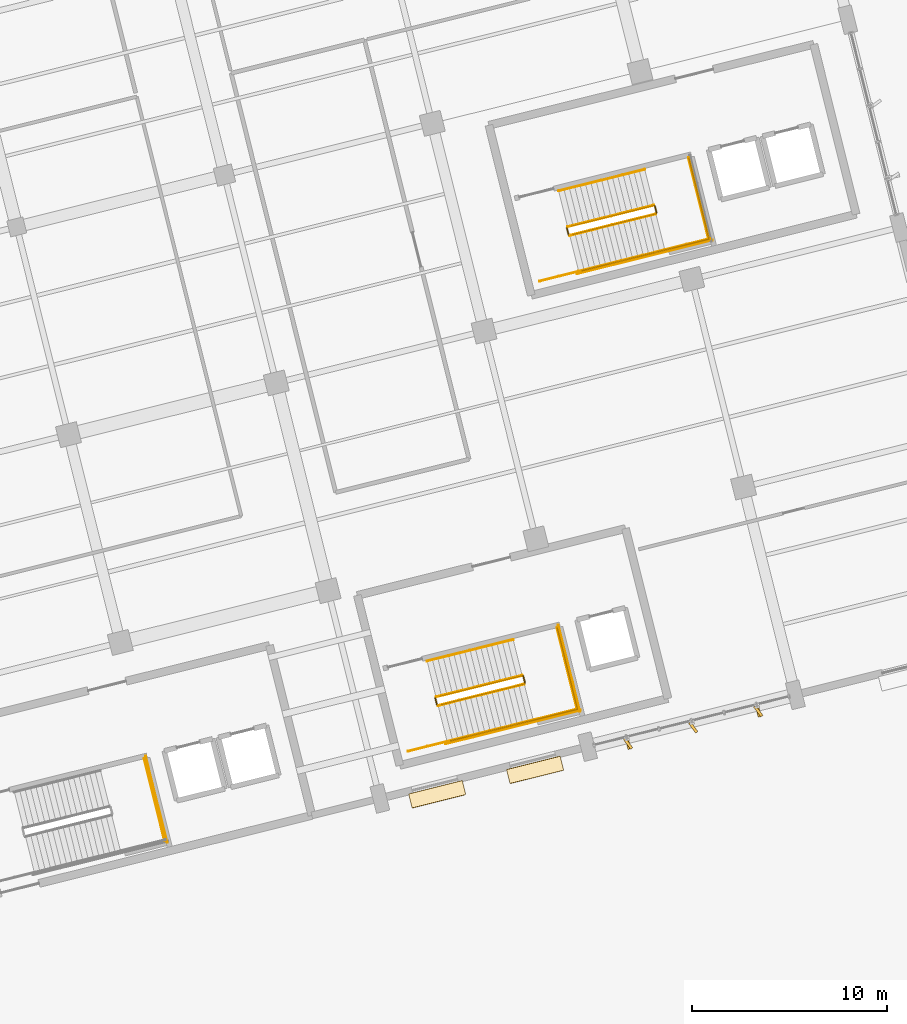
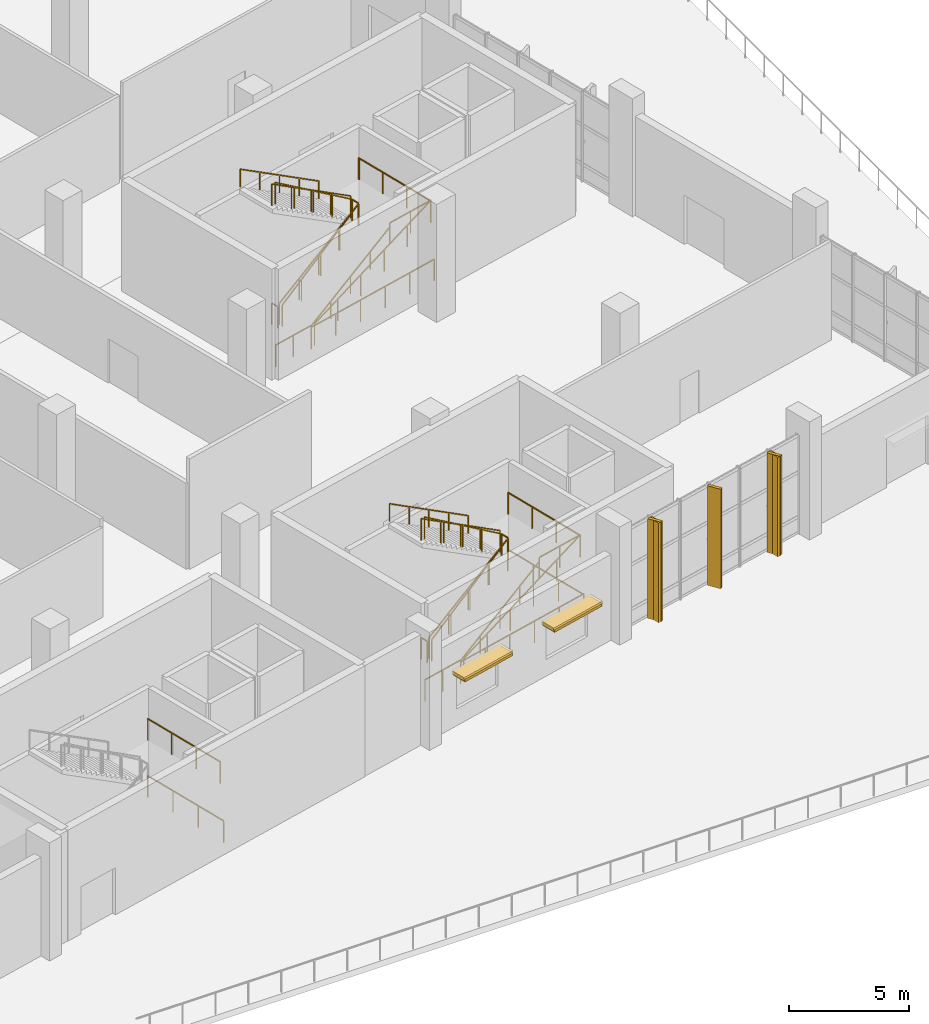
# One storey, part 157 of 163: 27 railings, 5 shading devices, 4 coverings.
"""IFC4 building model written with IfcOpenShell, lengths in metres."""

import ifcopenshell
import ifcopenshell.guid

model = None  # the IFC model being written
_history = None  # IfcOwnerHistory: only IFC2X3 demands one
_inside = {}  # id of a spatial element -> (the spatial element, [elements in it])
_under = {}  # id of a project, library or spatial element -> (it, [spatial elements below it])
_declared = {}  # id of a project -> (the project, [libraries it declares])
_typed = {}  # id of a type object -> (the type object, [elements of that type])
_made_of = {}  # id of a material, layer set ... -> (it, [elements and type objects made of it])


def new_model(schema):
    """Start an empty IFC model of exactly this schema.

    Asked for "IFC4X3", IfcOpenShell would pick the latest addendum, in which some entities
    have other attributes; the version numbers below select the first issue.
    IFC2X3 requires an IfcOwnerHistory on every rooted entity: one is made here for all.
    """
    global model, _history
    if schema == "IFC4X3":
        model = ifcopenshell.file(schema_version=(4, 3, 0, 0))
    else:
        model = ifcopenshell.file(schema=schema)
    _inside.clear()
    _under.clear()
    _declared.clear()
    _typed.clear()
    _made_of.clear()
    _history = None
    if model.schema == "IFC2X3":
        org = make("IfcOrganization", Name="unknown")
        user = make(
            "IfcPersonAndOrganization",
            ThePerson=make("IfcPerson", FamilyName="unknown"),
            TheOrganization=org,
        )
        app = make(
            "IfcApplication",
            ApplicationDeveloper=org,
            Version="unknown",
            ApplicationFullName="unknown",
            ApplicationIdentifier="unknown",
        )
        _history = make(
            "IfcOwnerHistory",
            OwningUser=user,
            OwningApplication=app,
            ChangeAction="ADDED",
            CreationDate=0,
        )
    return model


def make(cls, **values):
    """One entity of the class cls with the attributes given. An attribute that is None is left unset."""
    return model.create_entity(
        cls, **{name: value for name, value in values.items() if value is not None}
    )


def rooted(cls, **values):
    """An entity with a GlobalId (a new one), such as an element, a storey or a relation."""
    return make(cls, GlobalId=ifcopenshell.guid.new(), OwnerHistory=_history, **values)


def si_unit(unit_type, name, prefix=None):
    """IfcSIUnit, for example si_unit("LENGTHUNIT", "METRE", prefix="MILLI")."""
    return make("IfcSIUnit", UnitType=unit_type, Prefix=prefix, Name=name)


def assignment(units):
    """IfcUnitAssignment: the units of a project."""
    return None if units is None else make("IfcUnitAssignment", Units=units)


def point(xyz):
    """IfcCartesianPoint."""
    return None if xyz is None else make("IfcCartesianPoint", Coordinates=xyz)


def direction(xyz):
    """IfcDirection."""
    return None if xyz is None else make("IfcDirection", DirectionRatios=xyz)


def frame(location, z_axis=None, x_axis=None):
    """IfcAxis2Placement3D, a coordinate frame: its origin and axes. An axis left out is left unset."""
    return make(
        "IfcAxis2Placement3D",
        Location=point(location),
        Axis=direction(z_axis),
        RefDirection=direction(x_axis),
    )


def frame_2d(location, x_axis=None):
    """IfcAxis2Placement2D, a coordinate frame in the plane: its origin and x axis."""
    return make(
        "IfcAxis2Placement2D", Location=point(location), RefDirection=direction(x_axis)
    )


def origin():
    """The frame at (0, 0, 0) with its axes left unset."""
    return frame((0.0, 0.0, 0.0))


def origin_2d():
    """The frame at (0, 0) in the plane with its x axis left unset."""
    return frame_2d((0.0, 0.0))


def place(relative_to, where):
    """IfcLocalPlacement: puts the frame where relative to a parent placement (None: the world)."""
    return make(
        "IfcLocalPlacement", PlacementRelTo=relative_to, RelativePlacement=where
    )


def context(
    kind, dimensions, precision=None, world=None, true_north=None, identifier=None
):
    """IfcGeometricRepresentationContext, for example the 3D "Model" context."""
    return make(
        "IfcGeometricRepresentationContext",
        ContextIdentifier=identifier,
        ContextType=kind,
        CoordinateSpaceDimension=dimensions,
        Precision=precision,
        WorldCoordinateSystem=world,
        TrueNorth=true_north,
    )


def subcontext(parent, identifier, kind, view, scale=None):
    """IfcGeometricRepresentationSubContext, for example "Body" below "Model"."""
    return make(
        "IfcGeometricRepresentationSubContext",
        ContextIdentifier=identifier,
        ContextType=kind,
        ParentContext=parent,
        TargetScale=scale,
        TargetView=view,
    )


def project(units=None, contexts=None):
    """IfcProject with its units and contexts."""
    return rooted(
        "IfcProject",
        Name="project",
        RepresentationContexts=contexts,
        UnitsInContext=assignment(units),
    )


def spatial(cls, under=None, at=None, **own):
    """A site, building, storey or space (cls), placed at a placement, below another one or the project."""
    s = rooted(cls, ObjectPlacement=at, **own)
    if under is not None:
        _under.setdefault(under.id(), (under, []))[1].append(s)
    return s


def profile(cls, at=None, kind="AREA", **sizes):
    """A parametric profile (cls). Its sizes go by their IFC names, for example OverallWidth=200.0."""
    return make(cls, ProfileType=kind, Position=at, **sizes)


def rectangle(**sizes):
    """IfcRectangleProfileDef."""
    return profile("IfcRectangleProfileDef", **sizes)


def extrude(swept, where, along, depth):
    """IfcExtrudedAreaSolid: the profile swept, set in the frame where, extruded along a direction by depth."""
    return make(
        "IfcExtrudedAreaSolid",
        SweptArea=swept,
        Position=where,
        ExtrudedDirection=direction(along),
        Depth=depth,
    )


def shape(context_of_items, identifier, shape_type, items):
    """IfcShapeRepresentation: the items that make up one representation, for example the "Body"."""
    return make(
        "IfcShapeRepresentation",
        ContextOfItems=context_of_items,
        RepresentationIdentifier=identifier,
        RepresentationType=shape_type,
        Items=items,
    )


def material(Name=None, Category=None):
    """IfcMaterial."""
    return make("IfcMaterial", Name=Name, Category=Category)


def layer(
    of_material, thickness, ventilated=None, Name=None, Category=None, Priority=None
):
    """IfcMaterialLayer: one layer of a wall or slab, of a material (None: an air gap)."""
    return make(
        "IfcMaterialLayer",
        Material=of_material,
        LayerThickness=thickness,
        IsVentilated=ventilated,
        Name=Name,
        Category=Category,
        Priority=Priority,
    )


def layer_set(layers, Name=None):
    """IfcMaterialLayerSet."""
    return make("IfcMaterialLayerSet", MaterialLayers=layers, LayerSetName=Name)


def made_of(thing, what):
    """Note that an element or type object is made of a material, layer set ...; save() writes the relation."""
    if what is not None:
        _made_of.setdefault(what.id(), (what, []))[1].append(thing)
    return thing


def type_object(cls, material=None, **own):
    """A type object (cls), such as IfcWallType, which elements share."""
    return made_of(rooted(cls, **own), material)


def element(
    cls,
    number,
    at=None,
    inside=None,
    cuts=None,
    type_object=None,
    material=None,
    context=None,
    identifier="Body",
    shape_type=None,
    held_by="IfcProductDefinitionShape",
    body=None,
    shapes=None,
    **own,
):
    """One element of the class cls, such as IfcWall. Its Tag is "e" and its number.

    at: its placement. inside: the storey or other place that contains it. cuts: it is an
    opening in that element (IfcRelVoidsElement). A single representation is given by context,
    identifier, shape_type and body (its items); several are given by shapes. held_by: the class
    of the entity that holds the representations. save() writes the other relations.
    """
    e = rooted(cls, Tag="e%d" % number, ObjectPlacement=at, **own)
    if body is not None:
        shapes = [shape(context, identifier, shape_type, body)]
    if shapes is not None:
        e.Representation = make(held_by, Representations=shapes)
    if inside is not None:
        _inside.setdefault(inside.id(), (inside, []))[1].append(e)
    if cuts is not None:
        rooted(
            "IfcRelVoidsElement", RelatingBuildingElement=cuts, RelatedOpeningElement=e
        )
    if type_object is not None:
        _typed.setdefault(type_object.id(), (type_object, []))[1].append(e)
    return made_of(e, material)


def aggregate(whole, parts):
    """IfcRelAggregates: a whole, such as a stair, and the parts it consists of."""
    return rooted("IfcRelAggregates", RelatingObject=whole, RelatedObjects=parts)


def save(model, path):
    """Write the relations noted so far, then the file.

    IfcRelAggregates (storeys below a building ...), IfcRelContainedInSpatialStructure (elements
    in a storey), IfcRelDefinesByType, IfcRelAssociatesMaterial and IfcRelDeclares: one each for
    every whole, place, type object, material and project.
    """
    for whole, parts in _under.values():
        aggregate(whole, parts)
    for where, things in _inside.values():
        rooted(
            "IfcRelContainedInSpatialStructure",
            RelatedElements=things,
            RelatingStructure=where,
        )
    for kind, things in _typed.values():
        rooted("IfcRelDefinesByType", RelatedObjects=things, RelatingType=kind)
    for what, things in _made_of.values():
        rooted("IfcRelAssociatesMaterial", RelatedObjects=things, RelatingMaterial=what)
    for by, libraries in _declared.values():
        rooted("IfcRelDeclares", RelatingContext=by, RelatedDefinitions=libraries)
    model.write(path)


model = new_model("IFC4")

# Units and contexts
model_context = context("Model", 3, precision=1e-05, world=origin(), true_north=direction((0.0, 1.0)))
body_context = subcontext(model_context, "Body", "Model", "MODEL_VIEW")
ifc_project = project(units=[si_unit("LENGTHUNIT", "METRE"), si_unit("AREAUNIT", "SQUARE_METRE"), si_unit("VOLUMEUNIT", "CUBIC_METRE"), si_unit("PLANEANGLEUNIT", "RADIAN"), si_unit("MASSUNIT", "GRAM", prefix="KILO")], contexts=[model_context])

# Site, building, storey
site_placement = place(None, origin())
site = spatial("IfcSite", under=ifc_project, at=site_placement, CompositionType="ELEMENT")
building_placement = place(site_placement, origin())
building = spatial("IfcBuilding", under=site, at=building_placement, Name="Khorjan Park Terminus", CompositionType="ELEMENT")
storey_placement = place(building_placement, origin())
storey = spatial("IfcBuildingStorey", under=building, at=storey_placement, Name="L00", CompositionType="ELEMENT", Elevation=0.0)

# Coverings
ifc_material_1 = material(Name="Pigmented Precast GRC", Category="concrete")
ifc_layer_1 = layer(ifc_material_1, 0.16)
ifc_layer_set_1 = layer_set([ifc_layer_1], Name="Pigmented Precast GRC")
covering_type_1 = type_object("IfcCoveringType", Name="CV-FIN-GRC", PredefinedType="CLADDING", material=ifc_layer_set_1)
for number, where, z_axis, x_axis, name in (
    (1, (210.7713, 12.7969, -0.02), (0.0, 0.0, 1.0), (-0.2419218956, 0.970295726276, 0.0), "Projecting desert-sandstone GRC facade fin CL-FN1 (CW-V5-S-L00-B05-1)"),
    (2, (217.4597, 14.4644, -0.02), (0.0, 0.0, 1.0), (-0.2419218956, 0.970295726276, 0.0), "Projecting desert-sandstone GRC facade fin CL-FN1 (CW-V5-S-L00-B05-5)"),
):
    element("IfcCovering", number, at=place(storey_placement, frame(where, z_axis=z_axis, x_axis=x_axis)), inside=storey, type_object=covering_type_1, Name=name, PredefinedType="CLADDING", context=body_context, shape_type="SweptSolid", body=[
        extrude(rectangle(XDim=0.58, YDim=0.16, at=origin_2d()), origin(), (0.0, 0.0, 1.0), 5.065),
    ])
ifc_layer_2 = layer(ifc_material_1, 0.18)
ifc_layer_set_2 = layer_set([ifc_layer_2], Name="Pigmented Precast GRC")
covering_type_2 = type_object("IfcCoveringType", Name="CV-HOOD-GRC", PredefinedType="CLADDING", material=ifc_layer_set_2)
for number, where, z_axis, x_axis, name in (
    (3, (200.9632, 10.1968, 2.73), (0.0, 0.0, 1.0), (0.970293766672, 0.241929755007, 0.0), "Projecting desert-sandstone GRC window eyebrow CL-HD1 (EW-V5-S-L00-B04-1)"),
    (4, (205.9941, 11.4512, 2.73), (0.0, 0.0, 1.0), (0.970293766672, 0.241929755007, 0.0), "Projecting desert-sandstone GRC window eyebrow CL-HD1 (EW-V5-S-L00-B04-2)"),
):
    element("IfcCovering", number, at=place(storey_placement, frame(where, z_axis=z_axis, x_axis=x_axis)), inside=storey, type_object=covering_type_2, Name=name, PredefinedType="CLADDING", context=body_context, shape_type="SweptSolid", body=[
        extrude(rectangle(XDim=2.84, YDim=0.74, at=origin_2d()), origin(), (0.0, 0.0, 1.0), 0.16),
    ])

# Railings
ifc_material_2 = material(Name="Steel S355", Category="steel")
railing_type_1 = type_object("IfcRailingType", Name="GR-112", PredefinedType="GUARDRAIL", material=ifc_material_2)
railing_1_placement = place(storey_placement, frame((186.9708, 7.7954, 3.0)))
element("IfcRailing", 5, at=railing_1_placement, inside=storey, type_object=railing_type_1, Name="L00 ST-03 stair guard 4", PredefinedType="GUARDRAIL", context=body_context, shape_type="SweptSolid", body=[
    extrude(rectangle(XDim=0.048, YDim=0.048, at=origin_2d()), frame((0.0, 0.0, 1.096), z_axis=(-0.241904163851, 0.970300147125, 0.0), x_axis=(-0.970300147125, -0.241904163851, 0.0)), (0.0, 0.0, 1.0), 4.36),
    extrude(rectangle(XDim=0.042, YDim=0.042, at=origin_2d()), origin(), (0.0, 0.0, 1.0), 1.072),
    extrude(rectangle(XDim=0.042, YDim=0.042, at=origin_2d()), frame((-0.3516, 1.4102, 0.0)), (0.0, 0.0, 1.0), 1.072),
    extrude(rectangle(XDim=0.042, YDim=0.042, at=origin_2d()), frame((-0.7031, 2.8203, 0.0)), (0.0, 0.0, 1.0), 1.072),
    extrude(rectangle(XDim=0.042, YDim=0.042, at=origin_2d()), frame((-1.0547, 4.2305, 0.0)), (0.0, 0.0, 1.0), 1.072),
])
railing_2_placement = place(storey_placement, frame((187.0921, 7.7226, 0.0)))
element("IfcRailing", 6, at=railing_2_placement, inside=storey, type_object=railing_type_1, Name="L00 ST-03 stair guard 9", PredefinedType="GUARDRAIL", context=body_context, shape_type="SweptSolid", body=[
    extrude(rectangle(XDim=0.048, YDim=0.048, at=origin_2d()), frame((0.0, 0.0, 1.096), z_axis=(-0.24193185783, 0.970293242359, 0.0), x_axis=(-0.970293242359, -0.24193185783, 0.0)), (0.0, 0.0, 1.0), 4.56),
    extrude(rectangle(XDim=0.042, YDim=0.042, at=origin_2d()), origin(), (0.0, 0.0, 1.0), 1.072),
    extrude(rectangle(XDim=0.042, YDim=0.042, at=origin_2d()), frame((-0.3677, 1.4748, 0.0)), (0.0, 0.0, 1.0), 1.072),
    extrude(rectangle(XDim=0.042, YDim=0.042, at=origin_2d()), frame((-0.7355, 2.9497, 0.0)), (0.0, 0.0, 1.0), 1.072),
    extrude(rectangle(XDim=0.042, YDim=0.042, at=origin_2d()), frame((-1.1032, 4.4245, 0.0)), (0.0, 0.0, 1.0), 1.072),
])
railing_3_placement = place(storey_placement, frame((207.7735, 38.902, 0.1765)))
element("IfcRailing", 7, at=railing_3_placement, inside=storey, type_object=railing_type_1, Name="L00 ST-04 stair guard 1", PredefinedType="GUARDRAIL", context=body_context, shape_type="SweptSolid", body=[
    extrude(rectangle(XDim=0.048, YDim=0.048, at=origin_2d()), frame((0.0, 0.0, 1.096), z_axis=(0.824952551277, 0.205692768577, 0.526444463449), x_axis=(-0.24193185783, 0.970293242359, 0.0)), (0.0, 0.0, 1.0), 5.3633),
    extrude(rectangle(XDim=0.042, YDim=0.042, at=origin_2d()), origin(), (0.0, 0.0, 1.0), 1.072),
    extrude(rectangle(XDim=0.042, YDim=0.042, at=origin_2d()), frame((1.1061, 0.2758, 0.7059)), (0.0, 0.0, 1.0), 1.072),
    extrude(rectangle(XDim=0.042, YDim=0.042, at=origin_2d()), frame((2.2122, 0.5516, 1.4118)), (0.0, 0.0, 1.0), 1.072),
    extrude(rectangle(XDim=0.042, YDim=0.042, at=origin_2d()), frame((3.3184, 0.8274, 2.1176)), (0.0, 0.0, 1.0), 1.072),
    extrude(rectangle(XDim=0.042, YDim=0.042, at=origin_2d()), frame((4.4245, 1.1032, 2.8235)), (0.0, 0.0, 1.0), 1.072),
])
railing_4_placement = place(storey_placement, frame((212.2344, 40.0658, 3.0)))
element("IfcRailing", 8, at=railing_4_placement, inside=storey, type_object=railing_type_1, Name="L00 ST-04 stair guard 2", PredefinedType="GUARDRAIL", context=body_context, shape_type="SweptSolid", body=[
    extrude(rectangle(XDim=0.048, YDim=0.048, at=origin_2d()), frame((0.0, 0.0, 1.096), z_axis=(-0.241947338122, 0.970289382388, 0.0), x_axis=(-0.970289382388, -0.241947338122, 0.0)), (0.0, 0.0, 1.0), 0.36),
    extrude(rectangle(XDim=0.042, YDim=0.042, at=origin_2d()), origin(), (0.0, 0.0, 1.0), 1.072),
    extrude(rectangle(XDim=0.042, YDim=0.042, at=origin_2d()), frame((-0.0871, 0.3493, 0.0)), (0.0, 0.0, 1.0), 1.072),
])
railing_5_placement = place(storey_placement, frame((212.6577, 38.1616, 3.0)))
element("IfcRailing", 9, at=railing_5_placement, inside=storey, type_object=railing_type_1, Name="L00 ST-04 stair guard 3", PredefinedType="GUARDRAIL", context=body_context, shape_type="SweptSolid", body=[
    extrude(rectangle(XDim=0.048, YDim=0.048, at=origin_2d()), frame((0.0, 0.0, 1.096), z_axis=(0.970293078733, 0.241932514067, 0.0), x_axis=(-0.241932514067, 0.970293078733, 0.0)), (0.0, 0.0, 1.0), 2.38),
    extrude(rectangle(XDim=0.042, YDim=0.042, at=origin_2d()), origin(), (0.0, 0.0, 1.0), 1.072),
    extrude(rectangle(XDim=0.042, YDim=0.042, at=origin_2d()), frame((1.1547, 0.2879, 0.0)), (0.0, 0.0, 1.0), 1.072),
    extrude(rectangle(XDim=0.042, YDim=0.042, at=origin_2d()), frame((2.3093, 0.5758, 0.0)), (0.0, 0.0, 1.0), 1.072),
])
railing_6_placement = place(storey_placement, frame((214.9305, 38.6768, 3.0)))
element("IfcRailing", 10, at=railing_6_placement, inside=storey, type_object=railing_type_1, Name="L00 ST-04 stair guard 4", PredefinedType="GUARDRAIL", context=body_context, shape_type="SweptSolid", body=[
    extrude(rectangle(XDim=0.048, YDim=0.048, at=origin_2d()), frame((0.0, 0.0, 1.096), z_axis=(-0.241904163851, 0.970300147125, 0.0), x_axis=(-0.970300147125, -0.241904163851, 0.0)), (0.0, 0.0, 1.0), 4.36),
    extrude(rectangle(XDim=0.042, YDim=0.042, at=origin_2d()), origin(), (0.0, 0.0, 1.0), 1.072),
    extrude(rectangle(XDim=0.042, YDim=0.042, at=origin_2d()), frame((-0.3516, 1.4102, 0.0)), (0.0, 0.0, 1.0), 1.072),
    extrude(rectangle(XDim=0.042, YDim=0.042, at=origin_2d()), frame((-0.7031, 2.8203, 0.0)), (0.0, 0.0, 1.0), 1.072),
    extrude(rectangle(XDim=0.042, YDim=0.042, at=origin_2d()), frame((-1.0547, 4.2305, 0.0)), (0.0, 0.0, 1.0), 1.072),
])
railing_7_placement = place(storey_placement, frame((212.0867, 40.4515, 3.1765)))
element("IfcRailing", 11, at=railing_7_placement, inside=storey, type_object=railing_type_1, Name="L00 ST-04 stair guard 5", PredefinedType="GUARDRAIL", context=body_context, shape_type="SweptSolid", body=[
    extrude(rectangle(XDim=0.048, YDim=0.048, at=origin_2d()), frame((0.0, 0.0, 1.096), z_axis=(-0.824955714979, -0.205674912237, 0.52644648237), x_axis=(0.241911211243, -0.970298390123, 0.0)), (0.0, 0.0, 1.0), 5.3633),
    extrude(rectangle(XDim=0.042, YDim=0.042, at=origin_2d()), origin(), (0.0, 0.0, 1.0), 1.072),
    extrude(rectangle(XDim=0.042, YDim=0.042, at=origin_2d()), frame((-1.1061, -0.2758, 0.7059)), (0.0, 0.0, 1.0), 1.072),
    extrude(rectangle(XDim=0.042, YDim=0.042, at=origin_2d()), frame((-2.2122, -0.5516, 1.4118)), (0.0, 0.0, 1.0), 1.072),
    extrude(rectangle(XDim=0.042, YDim=0.042, at=origin_2d()), frame((-3.3184, -0.8273, 2.1176)), (0.0, 0.0, 1.0), 1.072),
    extrude(rectangle(XDim=0.042, YDim=0.042, at=origin_2d()), frame((-4.4245, -1.1031, 2.8235)), (0.0, 0.0, 1.0), 1.072),
])
railing_8_placement = place(storey_placement, frame((207.7129, 38.9385, 0.0)))
element("IfcRailing", 12, at=railing_8_placement, inside=storey, type_object=railing_type_1, Name="L00 ST-04 stair guard 6", PredefinedType="GUARDRAIL", context=body_context, shape_type="SweptSolid", body=[
    extrude(rectangle(XDim=0.048, YDim=0.048, at=origin_2d()), frame((0.0, 0.0, 1.096), z_axis=(-0.241947338122, 0.970289382388, 0.0), x_axis=(-0.970289382388, -0.241947338122, 0.0)), (0.0, 0.0, 1.0), 0.36),
    extrude(rectangle(XDim=0.042, YDim=0.042, at=origin_2d()), origin(), (0.0, 0.0, 1.0), 1.072),
    extrude(rectangle(XDim=0.042, YDim=0.042, at=origin_2d()), frame((-0.0871, 0.3493, 0.0)), (0.0, 0.0, 1.0), 1.072),
])
railing_9_placement = place(storey_placement, frame((206.2343, 36.5601, 0.0)))
element("IfcRailing", 13, at=railing_9_placement, inside=storey, type_object=railing_type_1, Name="L00 ST-04 stair guard 7", PredefinedType="GUARDRAIL", context=body_context, shape_type="SweptSolid", body=[
    extrude(rectangle(XDim=0.048, YDim=0.048, at=origin_2d()), frame((0.0, 0.0, 1.096), z_axis=(0.97029080484, 0.241941633546, 0.0), x_axis=(-0.241941633546, 0.97029080484, 0.0)), (0.0, 0.0, 1.0), 2.06),
    extrude(rectangle(XDim=0.042, YDim=0.042, at=origin_2d()), origin(), (0.0, 0.0, 1.0), 1.072),
    extrude(rectangle(XDim=0.042, YDim=0.042, at=origin_2d()), frame((0.9994, 0.2492, 0.0)), (0.0, 0.0, 1.0), 1.072),
    extrude(rectangle(XDim=0.042, YDim=0.042, at=origin_2d()), frame((1.9988, 0.4984, 0.0)), (0.0, 0.0, 1.0), 1.072),
])
railing_10_placement = place(storey_placement, frame((208.1603, 36.9373, 0.0)))
element("IfcRailing", 14, at=railing_10_placement, inside=storey, type_object=railing_type_1, Name="L00 ST-04 stair guard 8", PredefinedType="GUARDRAIL", context=body_context, shape_type="SweptSolid", body=[
    extrude(rectangle(XDim=0.048, YDim=0.048, at=origin_2d()), frame((0.0, 0.0, 1.096), z_axis=(0.970296366402, 0.241919328178, 0.0), x_axis=(-0.241919328178, 0.970296366402, 0.0)), (0.0, 0.0, 1.0), 7.14),
    extrude(rectangle(XDim=0.042, YDim=0.042, at=origin_2d()), origin(), (0.0, 0.0, 1.0), 1.072),
    extrude(rectangle(XDim=0.042, YDim=0.042, at=origin_2d()), frame((1.3856, 0.3455, 0.0)), (0.0, 0.0, 1.0), 1.072),
    extrude(rectangle(XDim=0.042, YDim=0.042, at=origin_2d()), frame((2.7712, 0.6909, 0.0)), (0.0, 0.0, 1.0), 1.072),
    extrude(rectangle(XDim=0.042, YDim=0.042, at=origin_2d()), frame((4.1567, 1.0364, 0.0)), (0.0, 0.0, 1.0), 1.072),
    extrude(rectangle(XDim=0.042, YDim=0.042, at=origin_2d()), frame((5.5423, 1.3818, 0.0)), (0.0, 0.0, 1.0), 1.072),
    extrude(rectangle(XDim=0.042, YDim=0.042, at=origin_2d()), frame((6.9279, 1.7273, 0.0)), (0.0, 0.0, 1.0), 1.072),
])
railing_11_placement = place(storey_placement, frame((207.9457, 38.9553, 0.0)))
element("IfcRailing", 15, at=railing_11_placement, inside=storey, type_object=railing_type_1, Name="Core K4 stair well slot guard GR-112 (L00)", PredefinedType="GUARDRAIL", context=body_context, shape_type="SweptSolid", body=[
    extrude(rectangle(XDim=0.048, YDim=0.048, at=origin_2d()), frame((0.0, 0.0, 1.096), z_axis=(0.802835291081, 0.200170629037, 0.561593460313), x_axis=(-0.241923385389, 0.970295354829, 0.0)), (0.0, 0.0, 1.0), 5.3419),
    extrude(rectangle(XDim=0.048, YDim=0.048, at=origin_2d()), frame((4.2887, 1.0693, 4.096), z_axis=(-0.241840311969, 0.970316063717, 0.0), x_axis=(-0.970316063717, -0.241840311969, 0.0)), (0.0, 0.0, 1.0), 0.44),
    extrude(rectangle(XDim=0.048, YDim=0.048, at=origin_2d()), frame((4.1823, 1.4962, 4.096), z_axis=(-0.80284194498, -0.200167620725, 0.561585020272), x_axis=(0.2419180747, -0.970296678925, 0.0)), (0.0, 0.0, 1.0), 5.342),
    extrude(rectangle(XDim=0.042, YDim=0.042, at=origin_2d()), origin(), (0.0, 0.0, 1.0), 1.072),
    extrude(rectangle(XDim=0.042, YDim=0.042, at=origin_2d()), frame((1.0722, 0.2673, 0.75)), (0.0, 0.0, 1.0), 1.072),
    extrude(rectangle(XDim=0.042, YDim=0.042, at=origin_2d()), frame((2.1444, 0.5346, 1.5)), (0.0, 0.0, 1.0), 1.072),
    extrude(rectangle(XDim=0.042, YDim=0.042, at=origin_2d()), frame((3.2165, 0.802, 2.25)), (0.0, 0.0, 1.0), 1.072),
    extrude(rectangle(XDim=0.042, YDim=0.042, at=origin_2d()), frame((4.2887, 1.0693, 3.0)), (0.0, 0.0, 1.0), 1.072),
    extrude(rectangle(XDim=0.042, YDim=0.042, at=origin_2d()), frame((4.1823, 1.4962, 3.0)), (0.0, 0.0, 1.0), 1.072),
    extrude(rectangle(XDim=0.042, YDim=0.042, at=origin_2d()), frame((3.1101, 1.2289, 3.75)), (0.0, 0.0, 1.0), 1.072),
    extrude(rectangle(XDim=0.042, YDim=0.042, at=origin_2d()), frame((2.0379, 0.9615, 4.5)), (0.0, 0.0, 1.0), 1.072),
    extrude(rectangle(XDim=0.042, YDim=0.042, at=origin_2d()), frame((0.9657, 0.6942, 5.25)), (0.0, 0.0, 1.0), 1.072),
    extrude(rectangle(XDim=0.042, YDim=0.042, at=origin_2d()), frame((-0.1065, 0.4269, 6.0)), (0.0, 0.0, 1.0), 1.072),
])
railing_12_placement = place(storey_placement, frame((208.4102, 37.0923, 0.0)))
element("IfcRailing", 16, at=railing_12_placement, inside=storey, type_object=railing_type_1, Name="Core K4 stair side & landing guard GR-112 (L00)", PredefinedType="GUARDRAIL", context=body_context, shape_type="SweptSolid", body=[
    extrude(rectangle(XDim=0.048, YDim=0.048, at=origin_2d()), frame((0.0, 0.0, 1.096), z_axis=(0.886014559013, 0.220905752498, 0.407650401362), x_axis=(-0.241919330403, 0.970296365848, 0.0)), (0.0, 0.0, 1.0), 7.3592),
    extrude(rectangle(XDim=0.048, YDim=0.048, at=origin_2d()), frame((6.5204, 1.6257, 4.096), z_axis=(-0.2419363556, 0.970292120879, 0.0), x_axis=(-0.970292120879, -0.2419363556, 0.0)), (0.0, 0.0, 1.0), 4.2801),
    extrude(rectangle(XDim=0.042, YDim=0.042, at=origin_2d()), origin(), (0.0, 0.0, 1.0), 1.072),
    extrude(rectangle(XDim=0.042, YDim=0.042, at=origin_2d()), frame((1.3041, 0.3251, 0.6)), (0.0, 0.0, 1.0), 1.072),
    extrude(rectangle(XDim=0.042, YDim=0.042, at=origin_2d()), frame((2.6082, 0.6503, 1.2)), (0.0, 0.0, 1.0), 1.072),
    extrude(rectangle(XDim=0.042, YDim=0.042, at=origin_2d()), frame((3.9122, 0.9754, 1.8)), (0.0, 0.0, 1.0), 1.072),
    extrude(rectangle(XDim=0.042, YDim=0.042, at=origin_2d()), frame((5.2163, 1.3006, 2.4)), (0.0, 0.0, 1.0), 1.072),
    extrude(rectangle(XDim=0.042, YDim=0.042, at=origin_2d()), frame((6.5204, 1.6257, 3.0)), (0.0, 0.0, 1.0), 1.072),
    extrude(rectangle(XDim=0.042, YDim=0.042, at=origin_2d()), frame((6.1752, 3.01, 3.0)), (0.0, 0.0, 1.0), 1.072),
    extrude(rectangle(XDim=0.042, YDim=0.042, at=origin_2d()), frame((5.8301, 4.3943, 3.0)), (0.0, 0.0, 1.0), 1.072),
    extrude(rectangle(XDim=0.042, YDim=0.042, at=origin_2d()), frame((5.4849, 5.7786, 3.0)), (0.0, 0.0, 1.0), 1.072),
])
railing_13_placement = place(storey_placement, frame((201.0157, 14.7497, 0.1765)))
element("IfcRailing", 17, at=railing_13_placement, inside=storey, type_object=railing_type_1, Name="L00 ST-05 stair guard 1", PredefinedType="GUARDRAIL", context=body_context, shape_type="SweptSolid", body=[
    extrude(rectangle(XDim=0.048, YDim=0.048, at=origin_2d()), frame((0.0, 0.0, 1.096), z_axis=(0.824952551277, 0.205692768577, 0.526444463449), x_axis=(-0.24193185783, 0.970293242359, 0.0)), (0.0, 0.0, 1.0), 5.3633),
    extrude(rectangle(XDim=0.042, YDim=0.042, at=origin_2d()), origin(), (0.0, 0.0, 1.0), 1.072),
    extrude(rectangle(XDim=0.042, YDim=0.042, at=origin_2d()), frame((1.1061, 0.2758, 0.7059)), (0.0, 0.0, 1.0), 1.072),
    extrude(rectangle(XDim=0.042, YDim=0.042, at=origin_2d()), frame((2.2122, 0.5516, 1.4118)), (0.0, 0.0, 1.0), 1.072),
    extrude(rectangle(XDim=0.042, YDim=0.042, at=origin_2d()), frame((3.3184, 0.8274, 2.1176)), (0.0, 0.0, 1.0), 1.072),
    extrude(rectangle(XDim=0.042, YDim=0.042, at=origin_2d()), frame((4.4245, 1.1032, 2.8235)), (0.0, 0.0, 1.0), 1.072),
])
railing_14_placement = place(storey_placement, frame((205.4766, 15.9135, 3.0)))
element("IfcRailing", 18, at=railing_14_placement, inside=storey, type_object=railing_type_1, Name="L00 ST-05 stair guard 2", PredefinedType="GUARDRAIL", context=body_context, shape_type="SweptSolid", body=[
    extrude(rectangle(XDim=0.048, YDim=0.048, at=origin_2d()), frame((0.0, 0.0, 1.096), z_axis=(-0.241947338122, 0.970289382388, 0.0), x_axis=(-0.970289382388, -0.241947338122, 0.0)), (0.0, 0.0, 1.0), 0.36),
    extrude(rectangle(XDim=0.042, YDim=0.042, at=origin_2d()), origin(), (0.0, 0.0, 1.0), 1.072),
    extrude(rectangle(XDim=0.042, YDim=0.042, at=origin_2d()), frame((-0.0871, 0.3493, 0.0)), (0.0, 0.0, 1.0), 1.072),
])
railing_15_placement = place(storey_placement, frame((205.8999, 14.0093, 3.0)))
element("IfcRailing", 19, at=railing_15_placement, inside=storey, type_object=railing_type_1, Name="L00 ST-05 stair guard 3", PredefinedType="GUARDRAIL", context=body_context, shape_type="SweptSolid", body=[
    extrude(rectangle(XDim=0.048, YDim=0.048, at=origin_2d()), frame((0.0, 0.0, 1.096), z_axis=(0.970293078733, 0.241932514067, 0.0), x_axis=(-0.241932514067, 0.970293078733, 0.0)), (0.0, 0.0, 1.0), 2.38),
    extrude(rectangle(XDim=0.042, YDim=0.042, at=origin_2d()), origin(), (0.0, 0.0, 1.0), 1.072),
    extrude(rectangle(XDim=0.042, YDim=0.042, at=origin_2d()), frame((1.1547, 0.2879, 0.0)), (0.0, 0.0, 1.0), 1.072),
    extrude(rectangle(XDim=0.042, YDim=0.042, at=origin_2d()), frame((2.3093, 0.5758, 0.0)), (0.0, 0.0, 1.0), 1.072),
])
railing_16_placement = place(storey_placement, frame((208.1727, 14.5245, 3.0)))
element("IfcRailing", 20, at=railing_16_placement, inside=storey, type_object=railing_type_1, Name="L00 ST-05 stair guard 4", PredefinedType="GUARDRAIL", context=body_context, shape_type="SweptSolid", body=[
    extrude(rectangle(XDim=0.048, YDim=0.048, at=origin_2d()), frame((0.0, 0.0, 1.096), z_axis=(-0.241904163851, 0.970300147125, 0.0), x_axis=(-0.970300147125, -0.241904163851, 0.0)), (0.0, 0.0, 1.0), 4.36),
    extrude(rectangle(XDim=0.042, YDim=0.042, at=origin_2d()), origin(), (0.0, 0.0, 1.0), 1.072),
    extrude(rectangle(XDim=0.042, YDim=0.042, at=origin_2d()), frame((-0.3516, 1.4102, 0.0)), (0.0, 0.0, 1.0), 1.072),
    extrude(rectangle(XDim=0.042, YDim=0.042, at=origin_2d()), frame((-0.7031, 2.8203, 0.0)), (0.0, 0.0, 1.0), 1.072),
    extrude(rectangle(XDim=0.042, YDim=0.042, at=origin_2d()), frame((-1.0547, 4.2305, 0.0)), (0.0, 0.0, 1.0), 1.072),
])
railing_17_placement = place(storey_placement, frame((205.3289, 16.2992, 3.1765)))
element("IfcRailing", 21, at=railing_17_placement, inside=storey, type_object=railing_type_1, Name="L00 ST-05 stair guard 5", PredefinedType="GUARDRAIL", context=body_context, shape_type="SweptSolid", body=[
    extrude(rectangle(XDim=0.048, YDim=0.048, at=origin_2d()), frame((0.0, 0.0, 1.096), z_axis=(-0.824955714979, -0.205674912237, 0.52644648237), x_axis=(0.241911211243, -0.970298390123, 0.0)), (0.0, 0.0, 1.0), 5.3633),
    extrude(rectangle(XDim=0.042, YDim=0.042, at=origin_2d()), origin(), (0.0, 0.0, 1.0), 1.072),
    extrude(rectangle(XDim=0.042, YDim=0.042, at=origin_2d()), frame((-1.1061, -0.2758, 0.7059)), (0.0, 0.0, 1.0), 1.072),
    extrude(rectangle(XDim=0.042, YDim=0.042, at=origin_2d()), frame((-2.2122, -0.5515, 1.4118)), (0.0, 0.0, 1.0), 1.072),
    extrude(rectangle(XDim=0.042, YDim=0.042, at=origin_2d()), frame((-3.3184, -0.8273, 2.1176)), (0.0, 0.0, 1.0), 1.072),
    extrude(rectangle(XDim=0.042, YDim=0.042, at=origin_2d()), frame((-4.4245, -1.1031, 2.8235)), (0.0, 0.0, 1.0), 1.072),
])
railing_18_placement = place(storey_placement, frame((200.9551, 14.7862, 0.0)))
element("IfcRailing", 22, at=railing_18_placement, inside=storey, type_object=railing_type_1, Name="L00 ST-05 stair guard 6", PredefinedType="GUARDRAIL", context=body_context, shape_type="SweptSolid", body=[
    extrude(rectangle(XDim=0.048, YDim=0.048, at=origin_2d()), frame((0.0, 0.0, 1.096), z_axis=(-0.241947338122, 0.970289382388, 0.0), x_axis=(-0.970289382388, -0.241947338122, 0.0)), (0.0, 0.0, 1.0), 0.36),
    extrude(rectangle(XDim=0.042, YDim=0.042, at=origin_2d()), origin(), (0.0, 0.0, 1.0), 1.072),
    extrude(rectangle(XDim=0.042, YDim=0.042, at=origin_2d()), frame((-0.0871, 0.3493, 0.0)), (0.0, 0.0, 1.0), 1.072),
])
railing_19_placement = place(storey_placement, frame((199.4765, 12.4078, 0.0)))
element("IfcRailing", 23, at=railing_19_placement, inside=storey, type_object=railing_type_1, Name="L00 ST-05 stair guard 7", PredefinedType="GUARDRAIL", context=body_context, shape_type="SweptSolid", body=[
    extrude(rectangle(XDim=0.048, YDim=0.048, at=origin_2d()), frame((0.0, 0.0, 1.096), z_axis=(0.97029080484, 0.241941633546, 0.0), x_axis=(-0.241941633546, 0.97029080484, 0.0)), (0.0, 0.0, 1.0), 2.06),
    extrude(rectangle(XDim=0.042, YDim=0.042, at=origin_2d()), origin(), (0.0, 0.0, 1.0), 1.072),
    extrude(rectangle(XDim=0.042, YDim=0.042, at=origin_2d()), frame((0.9994, 0.2492, 0.0)), (0.0, 0.0, 1.0), 1.072),
    extrude(rectangle(XDim=0.042, YDim=0.042, at=origin_2d()), frame((1.9988, 0.4984, 0.0)), (0.0, 0.0, 1.0), 1.072),
])
railing_20_placement = place(storey_placement, frame((201.4025, 12.785, 0.0)))
element("IfcRailing", 24, at=railing_20_placement, inside=storey, type_object=railing_type_1, Name="L00 ST-05 stair guard 8", PredefinedType="GUARDRAIL", context=body_context, shape_type="SweptSolid", body=[
    extrude(rectangle(XDim=0.048, YDim=0.048, at=origin_2d()), frame((0.0, 0.0, 1.096), z_axis=(0.970296366402, 0.241919328178, 0.0), x_axis=(-0.241919328178, 0.970296366402, 0.0)), (0.0, 0.0, 1.0), 7.14),
    extrude(rectangle(XDim=0.042, YDim=0.042, at=origin_2d()), origin(), (0.0, 0.0, 1.0), 1.072),
    extrude(rectangle(XDim=0.042, YDim=0.042, at=origin_2d()), frame((1.3856, 0.3455, 0.0)), (0.0, 0.0, 1.0), 1.072),
    extrude(rectangle(XDim=0.042, YDim=0.042, at=origin_2d()), frame((2.7712, 0.6909, 0.0)), (0.0, 0.0, 1.0), 1.072),
    extrude(rectangle(XDim=0.042, YDim=0.042, at=origin_2d()), frame((4.1567, 1.0364, 0.0)), (0.0, 0.0, 1.0), 1.072),
    extrude(rectangle(XDim=0.042, YDim=0.042, at=origin_2d()), frame((5.5423, 1.3818, 0.0)), (0.0, 0.0, 1.0), 1.072),
    extrude(rectangle(XDim=0.042, YDim=0.042, at=origin_2d()), frame((6.9279, 1.7273, 0.0)), (0.0, 0.0, 1.0), 1.072),
])
railing_21_placement = place(storey_placement, frame((208.294, 14.4517, 0.0)))
element("IfcRailing", 25, at=railing_21_placement, inside=storey, type_object=railing_type_1, Name="L00 ST-05 stair guard 9", PredefinedType="GUARDRAIL", context=body_context, shape_type="SweptSolid", body=[
    extrude(rectangle(XDim=0.048, YDim=0.048, at=origin_2d()), frame((0.0, 0.0, 1.096), z_axis=(-0.24193185783, 0.970293242359, 0.0), x_axis=(-0.970293242359, -0.24193185783, 0.0)), (0.0, 0.0, 1.0), 4.56),
    extrude(rectangle(XDim=0.042, YDim=0.042, at=origin_2d()), origin(), (0.0, 0.0, 1.0), 1.072),
    extrude(rectangle(XDim=0.042, YDim=0.042, at=origin_2d()), frame((-0.3677, 1.4748, 0.0)), (0.0, 0.0, 1.0), 1.072),
    extrude(rectangle(XDim=0.042, YDim=0.042, at=origin_2d()), frame((-0.7355, 2.9497, 0.0)), (0.0, 0.0, 1.0), 1.072),
    extrude(rectangle(XDim=0.042, YDim=0.042, at=origin_2d()), frame((-1.1032, 4.4245, 0.0)), (0.0, 0.0, 1.0), 1.072),
])
railing_22_placement = place(storey_placement, frame((201.1879, 14.803, 0.0)))
element("IfcRailing", 26, at=railing_22_placement, inside=storey, type_object=railing_type_1, Name="Core K5 stair well slot guard GR-112 (L00)", PredefinedType="GUARDRAIL", context=body_context, shape_type="SweptSolid", body=[
    extrude(rectangle(XDim=0.048, YDim=0.048, at=origin_2d()), frame((0.0, 0.0, 1.096), z_axis=(0.802835291081, 0.200170629037, 0.561593460313), x_axis=(-0.241923385389, 0.970295354829, 0.0)), (0.0, 0.0, 1.0), 5.3419),
    extrude(rectangle(XDim=0.048, YDim=0.048, at=origin_2d()), frame((4.2887, 1.0693, 4.096), z_axis=(-0.241840311969, 0.970316063717, 0.0), x_axis=(-0.970316063717, -0.241840311969, 0.0)), (0.0, 0.0, 1.0), 0.44),
    extrude(rectangle(XDim=0.048, YDim=0.048, at=origin_2d()), frame((4.1823, 1.4962, 4.096), z_axis=(-0.80284194498, -0.200167620725, 0.561585020272), x_axis=(0.2419180747, -0.970296678925, 0.0)), (0.0, 0.0, 1.0), 5.342),
    extrude(rectangle(XDim=0.042, YDim=0.042, at=origin_2d()), origin(), (0.0, 0.0, 1.0), 1.072),
    extrude(rectangle(XDim=0.042, YDim=0.042, at=origin_2d()), frame((1.0722, 0.2673, 0.75)), (0.0, 0.0, 1.0), 1.072),
    extrude(rectangle(XDim=0.042, YDim=0.042, at=origin_2d()), frame((2.1443, 0.5346, 1.5)), (0.0, 0.0, 1.0), 1.072),
    extrude(rectangle(XDim=0.042, YDim=0.042, at=origin_2d()), frame((3.2165, 0.802, 2.25)), (0.0, 0.0, 1.0), 1.072),
    extrude(rectangle(XDim=0.042, YDim=0.042, at=origin_2d()), frame((4.2887, 1.0693, 3.0)), (0.0, 0.0, 1.0), 1.072),
    extrude(rectangle(XDim=0.042, YDim=0.042, at=origin_2d()), frame((4.1823, 1.4962, 3.0)), (0.0, 0.0, 1.0), 1.072),
    extrude(rectangle(XDim=0.042, YDim=0.042, at=origin_2d()), frame((3.1101, 1.2289, 3.75)), (0.0, 0.0, 1.0), 1.072),
    extrude(rectangle(XDim=0.042, YDim=0.042, at=origin_2d()), frame((2.0379, 0.9615, 4.5)), (0.0, 0.0, 1.0), 1.072),
    extrude(rectangle(XDim=0.042, YDim=0.042, at=origin_2d()), frame((0.9657, 0.6942, 5.25)), (0.0, 0.0, 1.0), 1.072),
    extrude(rectangle(XDim=0.042, YDim=0.042, at=origin_2d()), frame((-0.1065, 0.4269, 6.0)), (0.0, 0.0, 1.0), 1.072),
])
railing_23_placement = place(storey_placement, frame((201.6524, 12.94, 0.0)))
element("IfcRailing", 27, at=railing_23_placement, inside=storey, type_object=railing_type_1, Name="Core K5 stair side & landing guard GR-112 (L00)", PredefinedType="GUARDRAIL", context=body_context, shape_type="SweptSolid", body=[
    extrude(rectangle(XDim=0.048, YDim=0.048, at=origin_2d()), frame((0.0, 0.0, 1.096), z_axis=(0.886014559013, 0.220905752498, 0.407650401362), x_axis=(-0.241919330403, 0.970296365848, 0.0)), (0.0, 0.0, 1.0), 7.3592),
    extrude(rectangle(XDim=0.048, YDim=0.048, at=origin_2d()), frame((6.5204, 1.6257, 4.096), z_axis=(-0.2419363556, 0.970292120879, 0.0), x_axis=(-0.970292120879, -0.2419363556, 0.0)), (0.0, 0.0, 1.0), 4.2801),
    extrude(rectangle(XDim=0.042, YDim=0.042, at=origin_2d()), origin(), (0.0, 0.0, 1.0), 1.072),
    extrude(rectangle(XDim=0.042, YDim=0.042, at=origin_2d()), frame((1.3041, 0.3251, 0.6)), (0.0, 0.0, 1.0), 1.072),
    extrude(rectangle(XDim=0.042, YDim=0.042, at=origin_2d()), frame((2.6082, 0.6503, 1.2)), (0.0, 0.0, 1.0), 1.072),
    extrude(rectangle(XDim=0.042, YDim=0.042, at=origin_2d()), frame((3.9122, 0.9754, 1.8)), (0.0, 0.0, 1.0), 1.072),
    extrude(rectangle(XDim=0.042, YDim=0.042, at=origin_2d()), frame((5.2163, 1.3006, 2.4)), (0.0, 0.0, 1.0), 1.072),
    extrude(rectangle(XDim=0.042, YDim=0.042, at=origin_2d()), frame((6.5204, 1.6257, 3.0)), (0.0, 0.0, 1.0), 1.072),
    extrude(rectangle(XDim=0.042, YDim=0.042, at=origin_2d()), frame((6.1752, 3.01, 3.0)), (0.0, 0.0, 1.0), 1.072),
    extrude(rectangle(XDim=0.042, YDim=0.042, at=origin_2d()), frame((5.8301, 4.3943, 3.0)), (0.0, 0.0, 1.0), 1.072),
    extrude(rectangle(XDim=0.042, YDim=0.042, at=origin_2d()), frame((5.4849, 5.7786, 3.0)), (0.0, 0.0, 1.0), 1.072),
])
railing_type_2 = type_object("IfcRailingType", Name="HR-92", PredefinedType="HANDRAIL", material=ifc_material_2)
railing_24_placement = place(storey_placement, frame((208.2331, 37.0585, 0.1765)))
element("IfcRailing", 28, at=railing_24_placement, inside=storey, type_object=railing_type_2, Name="L00 ST-04 stair handrail 1", PredefinedType="HANDRAIL", context=body_context, shape_type="SweptSolid", body=[
    extrude(rectangle(XDim=0.048, YDim=0.048, at=origin_2d()), frame((0.0, 0.0, 0.896), z_axis=(0.824961671007, 0.205671748698, 0.526438384958), x_axis=(-0.241906063777, 0.970299673455, 0.0)), (0.0, 0.0, 1.0), 5.3634),
    extrude(rectangle(XDim=0.042, YDim=0.042, at=origin_2d()), origin(), (0.0, 0.0, 1.0), 0.872),
    extrude(rectangle(XDim=0.042, YDim=0.042, at=origin_2d()), frame((1.1061, 0.2758, 0.7059)), (0.0, 0.0, 1.0), 0.872),
    extrude(rectangle(XDim=0.042, YDim=0.042, at=origin_2d()), frame((2.2123, 0.5515, 1.4118)), (0.0, 0.0, 1.0), 0.872),
    extrude(rectangle(XDim=0.042, YDim=0.042, at=origin_2d()), frame((3.3184, 0.8273, 2.1176)), (0.0, 0.0, 1.0), 0.872),
    extrude(rectangle(XDim=0.042, YDim=0.042, at=origin_2d()), frame((4.4246, 1.1031, 2.8235)), (0.0, 0.0, 1.0), 0.872),
])
railing_25_placement = place(storey_placement, frame((211.6271, 42.2951, 3.1765)))
element("IfcRailing", 29, at=railing_25_placement, inside=storey, type_object=railing_type_2, Name="L00 ST-04 stair handrail 2", PredefinedType="HANDRAIL", context=body_context, shape_type="SweptSolid", body=[
    extrude(rectangle(XDim=0.048, YDim=0.048, at=origin_2d()), frame((0.0, 0.0, 0.896), z_axis=(-0.824958507379, -0.205689604787, 0.526436366131), x_axis=(0.24192670998, -0.970294525904, 0.0)), (0.0, 0.0, 1.0), 5.3634),
    extrude(rectangle(XDim=0.042, YDim=0.042, at=origin_2d()), origin(), (0.0, 0.0, 1.0), 0.872),
    extrude(rectangle(XDim=0.042, YDim=0.042, at=origin_2d()), frame((-1.1062, -0.2758, 0.7059)), (0.0, 0.0, 1.0), 0.872),
    extrude(rectangle(XDim=0.042, YDim=0.042, at=origin_2d()), frame((-2.2123, -0.5516, 1.4118)), (0.0, 0.0, 1.0), 0.872),
    extrude(rectangle(XDim=0.042, YDim=0.042, at=origin_2d()), frame((-3.3185, -0.8274, 2.1176)), (0.0, 0.0, 1.0), 0.872),
    extrude(rectangle(XDim=0.042, YDim=0.042, at=origin_2d()), frame((-4.4246, -1.1032, 2.8235)), (0.0, 0.0, 1.0), 0.872),
])
railing_26_placement = place(storey_placement, frame((201.4753, 12.9062, 0.1765)))
element("IfcRailing", 30, at=railing_26_placement, inside=storey, type_object=railing_type_2, Name="L00 ST-05 stair handrail 1", PredefinedType="HANDRAIL", context=body_context, shape_type="SweptSolid", body=[
    extrude(rectangle(XDim=0.048, YDim=0.048, at=origin_2d()), frame((0.0, 0.0, 0.896), z_axis=(0.824961671007, 0.205671748698, 0.526438384958), x_axis=(-0.241906063777, 0.970299673455, 0.0)), (0.0, 0.0, 1.0), 5.3634),
    extrude(rectangle(XDim=0.042, YDim=0.042, at=origin_2d()), origin(), (0.0, 0.0, 1.0), 0.872),
    extrude(rectangle(XDim=0.042, YDim=0.042, at=origin_2d()), frame((1.1061, 0.2758, 0.7059)), (0.0, 0.0, 1.0), 0.872),
    extrude(rectangle(XDim=0.042, YDim=0.042, at=origin_2d()), frame((2.2123, 0.5515, 1.4118)), (0.0, 0.0, 1.0), 0.872),
    extrude(rectangle(XDim=0.042, YDim=0.042, at=origin_2d()), frame((3.3184, 0.8273, 2.1176)), (0.0, 0.0, 1.0), 0.872),
    extrude(rectangle(XDim=0.042, YDim=0.042, at=origin_2d()), frame((4.4246, 1.1031, 2.8235)), (0.0, 0.0, 1.0), 0.872),
])
railing_27_placement = place(storey_placement, frame((204.8693, 18.1428, 3.1765)))
element("IfcRailing", 31, at=railing_27_placement, inside=storey, type_object=railing_type_2, Name="L00 ST-05 stair handrail 2", PredefinedType="HANDRAIL", context=body_context, shape_type="SweptSolid", body=[
    extrude(rectangle(XDim=0.048, YDim=0.048, at=origin_2d()), frame((0.0, 0.0, 0.896), z_axis=(-0.824958507379, -0.205689604787, 0.526436366131), x_axis=(0.24192670998, -0.970294525904, 0.0)), (0.0, 0.0, 1.0), 5.3634),
    extrude(rectangle(XDim=0.042, YDim=0.042, at=origin_2d()), origin(), (0.0, 0.0, 1.0), 0.872),
    extrude(rectangle(XDim=0.042, YDim=0.042, at=origin_2d()), frame((-1.1061, -0.2758, 0.7059)), (0.0, 0.0, 1.0), 0.872),
    extrude(rectangle(XDim=0.042, YDim=0.042, at=origin_2d()), frame((-2.2123, -0.5516, 1.4118)), (0.0, 0.0, 1.0), 0.872),
    extrude(rectangle(XDim=0.042, YDim=0.042, at=origin_2d()), frame((-3.3184, -0.8274, 2.1176)), (0.0, 0.0, 1.0), 0.872),
    extrude(rectangle(XDim=0.042, YDim=0.042, at=origin_2d()), frame((-4.4246, -1.1032, 2.8235)), (0.0, 0.0, 1.0), 0.872),
])

# Shading devices
ifc_material_3 = material(Name="Anodized Bronze Aluminium", Category="aluminium")
shading_device_type_1 = type_object("IfcShadingDeviceType", Name="SD-FIN-620", PredefinedType="JALOUSIE", material=ifc_material_3)
for number, where, z_axis, x_axis, name in (
    (32, (210.7713, 12.7969, -0.02), (0.0, 0.0, 1.0), (-0.587785252292, 0.809016994375, 0.0), "Angled solar brise-soleil fin SF-62 (CW-V5-S-L00-B05-1)"),
    (33, (214.1155, 13.6306, -0.02), (0.0, 0.0, 1.0), (-0.587785252292, 0.809016994375, 0.0), "Angled solar brise-soleil fin SF-62 (CW-V5-S-L00-B05-3)"),
    (34, (217.4597, 14.4644, -0.02), (0.0, 0.0, 1.0), (-0.587785252292, 0.809016994375, 0.0), "Angled solar brise-soleil fin SF-62 (CW-V5-S-L00-B05-5)"),
):
    element("IfcShadingDevice", number, at=place(storey_placement, frame(where, z_axis=z_axis, x_axis=x_axis)), inside=storey, type_object=shading_device_type_1, Name=name, PredefinedType="JALOUSIE", context=body_context, shape_type="SweptSolid", body=[
        extrude(rectangle(XDim=0.62, YDim=0.14, at=origin_2d()), origin(), (0.0, 0.0, 1.0), 5.065),
    ])
shading_device_type_2 = type_object("IfcShadingDeviceType", Name="SD-SUN-750", PredefinedType="SHUTTER", material=ifc_material_3)
for number, where, z_axis, x_axis, name in (
    (35, (200.9632, 10.1968, 2.66), (0.0, 0.0, 1.0), (0.970293766672, 0.241929755007, 0.0), "Projecting solar overhang hood SH-75 (EW-V5-S-L00-B04-1)"),
    (36, (205.9941, 11.4512, 2.66), (0.0, 0.0, 1.0), (0.970293766672, 0.241929755007, 0.0), "Projecting solar overhang hood SH-75 (EW-V5-S-L00-B04-2)"),
):
    element("IfcShadingDevice", number, at=place(storey_placement, frame(where, z_axis=z_axis, x_axis=x_axis)), inside=storey, type_object=shading_device_type_2, Name=name, PredefinedType="SHUTTER", context=body_context, shape_type="SweptSolid", body=[
        extrude(rectangle(XDim=2.76, YDim=0.76, at=origin_2d()), origin(), (0.0, 0.0, 1.0), 0.14),
    ])

save(model, "model.ifc")
